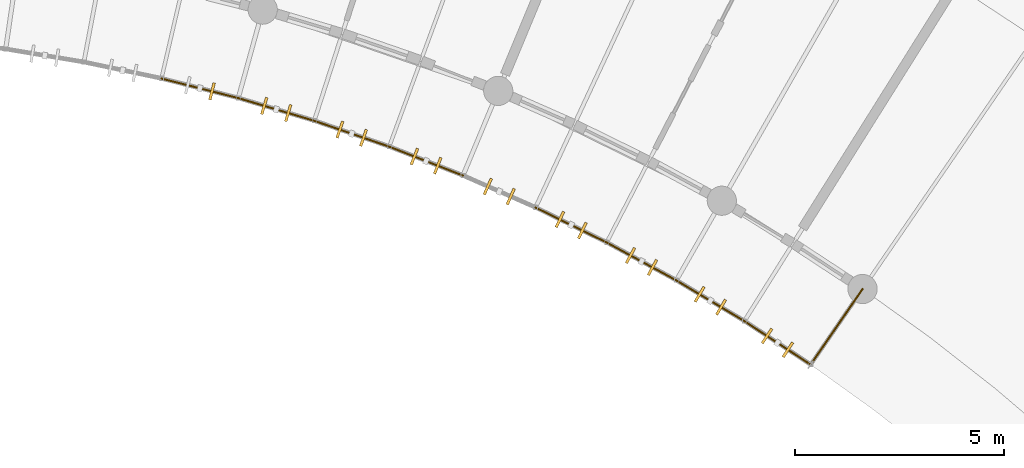
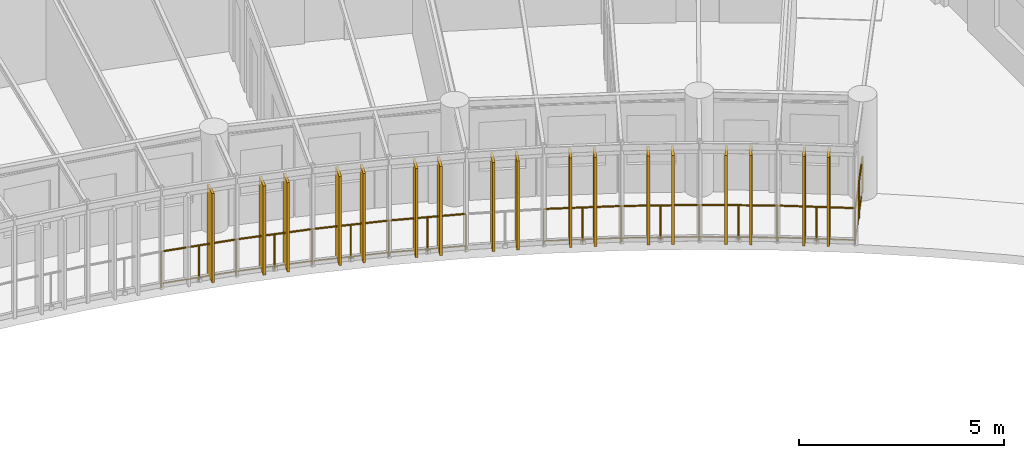
# One storey, part 135 of 137: 17 shading devices, 9 railings.
"""IFC4 building model written with IfcOpenShell, lengths in metres."""

import ifcopenshell
import ifcopenshell.guid

model = None  # the IFC model being written
_history = None  # IfcOwnerHistory: only IFC2X3 demands one
_inside = {}  # id of a spatial element -> (the spatial element, [elements in it])
_under = {}  # id of a project, library or spatial element -> (it, [spatial elements below it])
_declared = {}  # id of a project -> (the project, [libraries it declares])
_typed = {}  # id of a type object -> (the type object, [elements of that type])
_made_of = {}  # id of a material, layer set ... -> (it, [elements and type objects made of it])


def new_model(schema):
    """Start an empty IFC model of exactly this schema.

    Asked for "IFC4X3", IfcOpenShell would pick the latest addendum, in which some entities
    have other attributes; the version numbers below select the first issue.
    IFC2X3 requires an IfcOwnerHistory on every rooted entity: one is made here for all.
    """
    global model, _history
    if schema == "IFC4X3":
        model = ifcopenshell.file(schema_version=(4, 3, 0, 0))
    else:
        model = ifcopenshell.file(schema=schema)
    _inside.clear()
    _under.clear()
    _declared.clear()
    _typed.clear()
    _made_of.clear()
    _history = None
    if model.schema == "IFC2X3":
        org = make("IfcOrganization", Name="unknown")
        user = make(
            "IfcPersonAndOrganization",
            ThePerson=make("IfcPerson", FamilyName="unknown"),
            TheOrganization=org,
        )
        app = make(
            "IfcApplication",
            ApplicationDeveloper=org,
            Version="unknown",
            ApplicationFullName="unknown",
            ApplicationIdentifier="unknown",
        )
        _history = make(
            "IfcOwnerHistory",
            OwningUser=user,
            OwningApplication=app,
            ChangeAction="ADDED",
            CreationDate=0,
        )
    return model


def make(cls, **values):
    """One entity of the class cls with the attributes given. An attribute that is None is left unset."""
    return model.create_entity(
        cls, **{name: value for name, value in values.items() if value is not None}
    )


def rooted(cls, **values):
    """An entity with a GlobalId (a new one), such as an element, a storey or a relation."""
    return make(cls, GlobalId=ifcopenshell.guid.new(), OwnerHistory=_history, **values)


def si_unit(unit_type, name, prefix=None):
    """IfcSIUnit, for example si_unit("LENGTHUNIT", "METRE", prefix="MILLI")."""
    return make("IfcSIUnit", UnitType=unit_type, Prefix=prefix, Name=name)


def assignment(units):
    """IfcUnitAssignment: the units of a project."""
    return None if units is None else make("IfcUnitAssignment", Units=units)


def point(xyz):
    """IfcCartesianPoint."""
    return None if xyz is None else make("IfcCartesianPoint", Coordinates=xyz)


def direction(xyz):
    """IfcDirection."""
    return None if xyz is None else make("IfcDirection", DirectionRatios=xyz)


def frame(location, z_axis=None, x_axis=None):
    """IfcAxis2Placement3D, a coordinate frame: its origin and axes. An axis left out is left unset."""
    return make(
        "IfcAxis2Placement3D",
        Location=point(location),
        Axis=direction(z_axis),
        RefDirection=direction(x_axis),
    )


def frame_2d(location, x_axis=None):
    """IfcAxis2Placement2D, a coordinate frame in the plane: its origin and x axis."""
    return make(
        "IfcAxis2Placement2D", Location=point(location), RefDirection=direction(x_axis)
    )


def origin():
    """The frame at (0, 0, 0) with its axes left unset."""
    return frame((0.0, 0.0, 0.0))


def origin_2d():
    """The frame at (0, 0) in the plane with its x axis left unset."""
    return frame_2d((0.0, 0.0))


def place(relative_to, where):
    """IfcLocalPlacement: puts the frame where relative to a parent placement (None: the world)."""
    return make(
        "IfcLocalPlacement", PlacementRelTo=relative_to, RelativePlacement=where
    )


def context(
    kind, dimensions, precision=None, world=None, true_north=None, identifier=None
):
    """IfcGeometricRepresentationContext, for example the 3D "Model" context."""
    return make(
        "IfcGeometricRepresentationContext",
        ContextIdentifier=identifier,
        ContextType=kind,
        CoordinateSpaceDimension=dimensions,
        Precision=precision,
        WorldCoordinateSystem=world,
        TrueNorth=true_north,
    )


def subcontext(parent, identifier, kind, view, scale=None):
    """IfcGeometricRepresentationSubContext, for example "Body" below "Model"."""
    return make(
        "IfcGeometricRepresentationSubContext",
        ContextIdentifier=identifier,
        ContextType=kind,
        ParentContext=parent,
        TargetScale=scale,
        TargetView=view,
    )


def project(units=None, contexts=None):
    """IfcProject with its units and contexts."""
    return rooted(
        "IfcProject",
        Name="project",
        RepresentationContexts=contexts,
        UnitsInContext=assignment(units),
    )


def spatial(cls, under=None, at=None, **own):
    """A site, building, storey or space (cls), placed at a placement, below another one or the project."""
    s = rooted(cls, ObjectPlacement=at, **own)
    if under is not None:
        _under.setdefault(under.id(), (under, []))[1].append(s)
    return s


def profile(cls, at=None, kind="AREA", **sizes):
    """A parametric profile (cls). Its sizes go by their IFC names, for example OverallWidth=200.0."""
    return make(cls, ProfileType=kind, Position=at, **sizes)


def rectangle(**sizes):
    """IfcRectangleProfileDef."""
    return profile("IfcRectangleProfileDef", **sizes)


def circle(**sizes):
    """IfcCircleProfileDef."""
    return profile("IfcCircleProfileDef", **sizes)


def extrude(swept, where, along, depth):
    """IfcExtrudedAreaSolid: the profile swept, set in the frame where, extruded along a direction by depth."""
    return make(
        "IfcExtrudedAreaSolid",
        SweptArea=swept,
        Position=where,
        ExtrudedDirection=direction(along),
        Depth=depth,
    )


def shape(context_of_items, identifier, shape_type, items):
    """IfcShapeRepresentation: the items that make up one representation, for example the "Body"."""
    return make(
        "IfcShapeRepresentation",
        ContextOfItems=context_of_items,
        RepresentationIdentifier=identifier,
        RepresentationType=shape_type,
        Items=items,
    )


def material(Name=None, Category=None):
    """IfcMaterial."""
    return make("IfcMaterial", Name=Name, Category=Category)


def layer(
    of_material, thickness, ventilated=None, Name=None, Category=None, Priority=None
):
    """IfcMaterialLayer: one layer of a wall or slab, of a material (None: an air gap)."""
    return make(
        "IfcMaterialLayer",
        Material=of_material,
        LayerThickness=thickness,
        IsVentilated=ventilated,
        Name=Name,
        Category=Category,
        Priority=Priority,
    )


def layer_set(layers, Name=None):
    """IfcMaterialLayerSet."""
    return make("IfcMaterialLayerSet", MaterialLayers=layers, LayerSetName=Name)


def made_of(thing, what):
    """Note that an element or type object is made of a material, layer set ...; save() writes the relation."""
    if what is not None:
        _made_of.setdefault(what.id(), (what, []))[1].append(thing)
    return thing


def type_object(cls, material=None, **own):
    """A type object (cls), such as IfcWallType, which elements share."""
    return made_of(rooted(cls, **own), material)


def element(
    cls,
    number,
    at=None,
    inside=None,
    cuts=None,
    type_object=None,
    material=None,
    context=None,
    identifier="Body",
    shape_type=None,
    held_by="IfcProductDefinitionShape",
    body=None,
    shapes=None,
    **own,
):
    """One element of the class cls, such as IfcWall. Its Tag is "e" and its number.

    at: its placement. inside: the storey or other place that contains it. cuts: it is an
    opening in that element (IfcRelVoidsElement). A single representation is given by context,
    identifier, shape_type and body (its items); several are given by shapes. held_by: the class
    of the entity that holds the representations. save() writes the other relations.
    """
    e = rooted(cls, Tag="e%d" % number, ObjectPlacement=at, **own)
    if body is not None:
        shapes = [shape(context, identifier, shape_type, body)]
    if shapes is not None:
        e.Representation = make(held_by, Representations=shapes)
    if inside is not None:
        _inside.setdefault(inside.id(), (inside, []))[1].append(e)
    if cuts is not None:
        rooted(
            "IfcRelVoidsElement", RelatingBuildingElement=cuts, RelatedOpeningElement=e
        )
    if type_object is not None:
        _typed.setdefault(type_object.id(), (type_object, []))[1].append(e)
    return made_of(e, material)


def aggregate(whole, parts):
    """IfcRelAggregates: a whole, such as a stair, and the parts it consists of."""
    return rooted("IfcRelAggregates", RelatingObject=whole, RelatedObjects=parts)


def save(model, path):
    """Write the relations noted so far, then the file.

    IfcRelAggregates (storeys below a building ...), IfcRelContainedInSpatialStructure (elements
    in a storey), IfcRelDefinesByType, IfcRelAssociatesMaterial and IfcRelDeclares: one each for
    every whole, place, type object, material and project.
    """
    for whole, parts in _under.values():
        aggregate(whole, parts)
    for where, things in _inside.values():
        rooted(
            "IfcRelContainedInSpatialStructure",
            RelatedElements=things,
            RelatingStructure=where,
        )
    for kind, things in _typed.values():
        rooted("IfcRelDefinesByType", RelatedObjects=things, RelatingType=kind)
    for what, things in _made_of.values():
        rooted("IfcRelAssociatesMaterial", RelatedObjects=things, RelatingMaterial=what)
    for by, libraries in _declared.values():
        rooted("IfcRelDeclares", RelatingContext=by, RelatedDefinitions=libraries)
    model.write(path)


model = new_model("IFC4")

# Units and contexts
model_context = context("Model", 3, precision=1e-05, world=origin(), true_north=direction((0.0, 1.0)))
body_context = subcontext(model_context, "Body", "Model", "MODEL_VIEW")
ifc_project = project(units=[si_unit("LENGTHUNIT", "METRE"), si_unit("AREAUNIT", "SQUARE_METRE"), si_unit("VOLUMEUNIT", "CUBIC_METRE"), si_unit("PLANEANGLEUNIT", "RADIAN"), si_unit("MASSUNIT", "GRAM", prefix="KILO"), si_unit("POWERUNIT", "WATT"), si_unit("THERMODYNAMICTEMPERATUREUNIT", "KELVIN")], contexts=[model_context])

# Site, building, storey
site_placement = place(None, origin())
site = spatial("IfcSite", under=ifc_project, at=site_placement, CompositionType="ELEMENT")
building_placement = place(site_placement, origin())
building = spatial("IfcBuilding", under=site, at=building_placement, Name="Ruvembo Vaulted Housing Court", CompositionType="ELEMENT")
storey_placement = place(building_placement, frame((0.0, 0.0, 4.5)))
storey = spatial("IfcBuildingStorey", under=building, at=storey_placement, Name="L01", CompositionType="ELEMENT", Elevation=4.5)

# Railings
ifc_material_1 = material(Name="Galvanised Painted Steel S275", Category="steel")
ifc_layer = layer(ifc_material_1, 0.06005859375, Name="Galvanised Painted Steel S275")
ifc_layer_set = layer_set([ifc_layer], Name="Galvanised Painted Steel S275")
railing_type = type_object("IfcRailingType", Name="RL-GUARD-1100", PredefinedType="GUARDRAIL", material=ifc_layer_set)
railing_1_placement = place(storey_placement, frame((127.365966796875, 94.611572265625, 0.0)))
element("IfcRailing", 1, at=railing_1_placement, inside=storey, type_object=railing_type, Name="L01 Perimeter Guard RL-EXT-L01-0575", PredefinedType="GUARDRAIL", context=body_context, shape_type="SweptSolid", body=[
    extrude(circle(Radius=0.02392578125, at=origin_2d()), frame((0.0, 0.0, 1.076171875), z_axis=(0.969121730429, -0.246582788553, 0.0), x_axis=(0.246582788553, 0.969121730429, 0.0)), (0.0, 0.0, 1.0), 1.90087890625),
    extrude(circle(Radius=0.01806640625, at=origin_2d()), frame((0.0, 0.0, 0.1201171875), z_axis=(0.969121730429, -0.246582788553, 0.0), x_axis=(0.246582788553, 0.969121730429, 0.0)), (0.0, 0.0, 1.0), 1.90087890625),
    extrude(circle(Radius=0.02099609375, at=origin_2d()), origin(), (0.0, 0.0, 1.0), 1.052001953125),
    extrude(circle(Radius=0.02099609375, at=origin_2d()), frame((0.921142578125, -0.234375, 0.0)), (0.0, 0.0, 1.0), 1.052001953125),
    extrude(circle(Radius=0.02099609375, at=origin_2d()), frame((1.84228515625, -0.46875, 0.0)), (0.0, 0.0, 1.0), 1.052001953125),
])
railing_2_placement = place(storey_placement, frame((129.208251953125, 94.142822265625, 0.0)))
element("IfcRailing", 2, at=railing_2_placement, inside=storey, type_object=railing_type, Name="L01 Perimeter Guard RL-EXT-L01-0576", PredefinedType="GUARDRAIL", context=body_context, shape_type="SweptSolid", body=[
    extrude(circle(Radius=0.02392578125, at=origin_2d()), frame((0.0, 0.0, 1.076171875), z_axis=(0.958108609181, -0.286405120439, 0.0), x_axis=(0.286405120439, 0.958108609181, 0.0)), (0.0, 0.0, 1.0), 1.90087890625),
    extrude(circle(Radius=0.01806640625, at=origin_2d()), frame((0.0, 0.0, 0.1201171875), z_axis=(0.958108609181, -0.286405120439, 0.0), x_axis=(0.286405120439, 0.958108609181, 0.0)), (0.0, 0.0, 1.0), 1.90087890625),
    extrude(circle(Radius=0.02099609375, at=origin_2d()), origin(), (0.0, 0.0, 1.0), 1.052001953125),
    extrude(circle(Radius=0.02099609375, at=origin_2d()), frame((0.91064453125, -0.272216796875, 0.0)), (0.0, 0.0, 1.0), 1.052001953125),
    extrude(circle(Radius=0.02099609375, at=origin_2d()), frame((1.8212890625, -0.54443359375, 0.0)), (0.0, 0.0, 1.0), 1.052001953125),
])
railing_3_placement = place(storey_placement, frame((131.029541015625, 93.598388671875, 0.0)))
element("IfcRailing", 3, at=railing_3_placement, inside=storey, type_object=railing_type, Name="L01 Perimeter Guard RL-EXT-L01-0577", PredefinedType="GUARDRAIL", context=body_context, shape_type="SweptSolid", body=[
    extrude(circle(Radius=0.02392578125, at=origin_2d()), frame((0.0, 0.0, 1.076171875), z_axis=(0.945357969834, -0.326034214264, 0.0), x_axis=(0.326034214264, 0.945357969834, 0.0)), (0.0, 0.0, 1.0), 1.9013671875),
    extrude(circle(Radius=0.01806640625, at=origin_2d()), frame((0.0, 0.0, 0.1201171875), z_axis=(0.945357969834, -0.326034214264, 0.0), x_axis=(0.326034214264, 0.945357969834, 0.0)), (0.0, 0.0, 1.0), 1.9013671875),
    extrude(circle(Radius=0.02099609375, at=origin_2d()), origin(), (0.0, 0.0, 1.0), 1.052001953125),
    extrude(circle(Radius=0.02099609375, at=origin_2d()), frame((0.898681640625, -0.31005859375, 0.0)), (0.0, 0.0, 1.0), 1.052001953125),
    extrude(circle(Radius=0.02099609375, at=origin_2d()), frame((1.79736328125, -0.619873046875, 0.0)), (0.0, 0.0, 1.0), 1.052001953125),
])
railing_4_placement = place(storey_placement, frame((132.826904296875, 92.978515625, 0.0)))
element("IfcRailing", 4, at=railing_4_placement, inside=storey, type_object=railing_type, Name="L01 Perimeter Guard RL-EXT-L01-0578", PredefinedType="GUARDRAIL", context=body_context, shape_type="SweptSolid", body=[
    extrude(circle(Radius=0.02392578125, at=origin_2d()), frame((0.0, 0.0, 1.076171875), z_axis=(0.931005720133, -0.365004587752, 0.0), x_axis=(0.365004587752, 0.931005720133, 0.0)), (0.0, 0.0, 1.0), 1.90087890625),
    extrude(circle(Radius=0.01806640625, at=origin_2d()), frame((0.0, 0.0, 0.1201171875), z_axis=(0.931005720133, -0.365004587752, 0.0), x_axis=(0.365004587752, 0.931005720133, 0.0)), (0.0, 0.0, 1.0), 1.90087890625),
    extrude(circle(Radius=0.02099609375, at=origin_2d()), origin(), (0.0, 0.0, 1.0), 1.052001953125),
    extrude(circle(Radius=0.02099609375, at=origin_2d()), frame((0.884765625, -0.346923828125, 0.0)), (0.0, 0.0, 1.0), 1.052001953125),
    extrude(circle(Radius=0.02099609375, at=origin_2d()), frame((1.769775390625, -0.69384765625, 0.0)), (0.0, 0.0, 1.0), 1.052001953125),
])
railing_5_placement = place(storey_placement, frame((136.336181640625, 91.51806640625, 0.0)))
element("IfcRailing", 5, at=railing_5_placement, inside=storey, type_object=railing_type, Name="L01 Perimeter Guard RL-EXT-L01-0580", PredefinedType="GUARDRAIL", context=body_context, shape_type="SweptSolid", body=[
    extrude(circle(Radius=0.02392578125, at=origin_2d()), frame((0.0, 0.0, 1.076171875), z_axis=(0.897513310314, -0.44098736695, 0.0), x_axis=(0.44098736695, 0.897513310314, 0.0)), (0.0, 0.0, 1.0), 1.901123046875),
    extrude(circle(Radius=0.01806640625, at=origin_2d()), frame((0.0, 0.0, 0.1201171875), z_axis=(0.897513310314, -0.44098736695, 0.0), x_axis=(0.44098736695, 0.897513310314, 0.0)), (0.0, 0.0, 1.0), 1.901123046875),
    extrude(circle(Radius=0.02099609375, at=origin_2d()), origin(), (0.0, 0.0, 1.0), 1.052001953125),
    extrude(circle(Radius=0.02099609375, at=origin_2d()), frame((0.85302734375, -0.419189453125, 0.0)), (0.0, 0.0, 1.0), 1.052001953125),
    extrude(circle(Radius=0.02099609375, at=origin_2d()), frame((1.706298828125, -0.83837890625, 0.0)), (0.0, 0.0, 1.0), 1.052001953125),
])
railing_6_placement = place(storey_placement, frame((138.04248046875, 90.6796875, 0.0)))
element("IfcRailing", 6, at=railing_6_placement, inside=storey, type_object=railing_type, Name="L01 Perimeter Guard RL-EXT-L01-0581", PredefinedType="GUARDRAIL", context=body_context, shape_type="SweptSolid", body=[
    extrude(circle(Radius=0.02392578125, at=origin_2d()), frame((0.0, 0.0, 1.076171875), z_axis=(0.878513214386, -0.477718046706, 0.0), x_axis=(0.477718046706, 0.878513214386, 0.0)), (0.0, 0.0, 1.0), 1.901123046875),
    extrude(circle(Radius=0.01806640625, at=origin_2d()), frame((0.0, 0.0, 0.1201171875), z_axis=(0.878513214386, -0.477718046706, 0.0), x_axis=(0.477718046706, 0.878513214386, 0.0)), (0.0, 0.0, 1.0), 1.901123046875),
    extrude(circle(Radius=0.02099609375, at=origin_2d()), origin(), (0.0, 0.0, 1.0), 1.052001953125),
    extrude(circle(Radius=0.02099609375, at=origin_2d()), frame((0.8349609375, -0.4541015625, 0.0)), (0.0, 0.0, 1.0), 1.052001953125),
    extrude(circle(Radius=0.02099609375, at=origin_2d()), frame((1.670166015625, -0.908203125, 0.0)), (0.0, 0.0, 1.0), 1.052001953125),
])
railing_7_placement = place(storey_placement, frame((139.712646484375, 89.771484375, 0.0)))
element("IfcRailing", 7, at=railing_7_placement, inside=storey, type_object=railing_type, Name="L01 Perimeter Guard RL-EXT-L01-0582", PredefinedType="GUARDRAIL", context=body_context, shape_type="SweptSolid", body=[
    extrude(circle(Radius=0.02392578125, at=origin_2d()), frame((0.0, 0.0, 1.076171875), z_axis=(0.857889282303, -0.513834583607, 0.0), x_axis=(0.513834583607, 0.857889282303, 0.0)), (0.0, 0.0, 1.0), 1.901123046875),
    extrude(circle(Radius=0.01806640625, at=origin_2d()), frame((0.0, 0.0, 0.1201171875), z_axis=(0.857889282303, -0.513834583607, 0.0), x_axis=(0.513834583607, 0.857889282303, 0.0)), (0.0, 0.0, 1.0), 1.901123046875),
    extrude(circle(Radius=0.02099609375, at=origin_2d()), origin(), (0.0, 0.0, 1.0), 1.052001953125),
    extrude(circle(Radius=0.02099609375, at=origin_2d()), frame((0.8154296875, -0.48828125, 0.0)), (0.0, 0.0, 1.0), 1.052001953125),
    extrude(circle(Radius=0.02099609375, at=origin_2d()), frame((1.630859375, -0.976806640625, 0.0)), (0.0, 0.0, 1.0), 1.052001953125),
])
railing_8_placement = place(storey_placement, frame((141.343505859375, 88.794677734375, 0.0)))
element("IfcRailing", 8, at=railing_8_placement, inside=storey, type_object=railing_type, Name="L01 Perimeter Guard RL-EXT-L01-0583", PredefinedType="GUARDRAIL", context=body_context, shape_type="SweptSolid", body=[
    extrude(circle(Radius=0.02392578125, at=origin_2d()), frame((0.0, 0.0, 1.076171875), z_axis=(0.835902452778, -0.548878027834, 0.0), x_axis=(0.548878027834, 0.835902452778, 0.0)), (0.0, 0.0, 1.0), 1.901123046875),
    extrude(circle(Radius=0.01806640625, at=origin_2d()), frame((0.0, 0.0, 0.1201171875), z_axis=(0.835902452778, -0.548878027834, 0.0), x_axis=(0.548878027834, 0.835902452778, 0.0)), (0.0, 0.0, 1.0), 1.901123046875),
    extrude(circle(Radius=0.02099609375, at=origin_2d()), origin(), (0.0, 0.0, 1.0), 1.052001953125),
    extrude(circle(Radius=0.02099609375, at=origin_2d()), frame((0.79443359375, -0.521728515625, 0.0)), (0.0, 0.0, 1.0), 1.052001953125),
    extrude(circle(Radius=0.02099609375, at=origin_2d()), frame((1.589111328125, -1.04345703125, 0.0)), (0.0, 0.0, 1.0), 1.052001953125),
])
railing_9_placement = place(storey_placement, frame((142.9326171875, 87.751220703125, 0.0)))
element("IfcRailing", 9, at=railing_9_placement, inside=storey, type_object=railing_type, Name="L01 Perimeter Guard RL-EXT-L01-0584", PredefinedType="GUARDRAIL", context=body_context, shape_type="SweptSolid", body=[
    extrude(circle(Radius=0.02392578125, at=origin_2d()), frame((0.0, 0.0, 1.076171875), z_axis=(0.566222630619, 0.82425234763, 0.0), x_axis=(-0.82425234763, 0.566222630619, 0.0)), (0.0, 0.0, 1.0), 2.199951171875),
    extrude(circle(Radius=0.01806640625, at=origin_2d()), frame((0.0, 0.0, 0.1201171875), z_axis=(0.566222630619, 0.82425234763, 0.0), x_axis=(-0.82425234763, 0.566222630619, 0.0)), (0.0, 0.0, 1.0), 2.199951171875),
    extrude(circle(Radius=0.02099609375, at=origin_2d()), origin(), (0.0, 0.0, 1.0), 1.052001953125),
    extrude(circle(Radius=0.02099609375, at=origin_2d()), frame((0.622802734375, 0.90673828125, 0.0)), (0.0, 0.0, 1.0), 1.052001953125),
    extrude(circle(Radius=0.02099609375, at=origin_2d()), frame((1.24560546875, 1.813232421875, 0.0)), (0.0, 0.0, 1.0), 1.052001953125),
])

# Shading devices
ifc_material_2 = material(Name="Kiln-Fired Terracotta Extrusion", Category="masonry")
shading_device_type = type_object("IfcShadingDeviceType", Name="SHD-FIN-420", PredefinedType="USERDEFINED", material=ifc_material_2)
for number, where, z_axis, x_axis, name in (
    (10, (128.577880859375, 94.30322265625, 0.0498046875), (0.0, 0.0, 1.0), (-0.246491603437, -0.969144926951, 0.0), "Terracotta Brise-Soleil Fin #512"),
    (11, (129.83154296875, 93.95654296875, 0.0498046875), (0.0, 0.0, 1.0), (-0.2864911095, -0.958082900472, 0.0), "Terracotta Brise-Soleil Fin #513"),
    (12, (130.406494140625, 93.78466796875, 0.0498046875), (0.0, 0.0, 1.0), (-0.2864911095, -0.958082900472, 0.0), "Terracotta Brise-Soleil Fin #514"),
    (13, (131.64453125, 93.38623046875, 0.0498046875), (0.0, 0.0, 1.0), (-0.326030183107, -0.945359360087, 0.0), "Terracotta Brise-Soleil Fin #515"),
    (14, (132.2119140625, 93.190673828125, 0.0498046875), (0.0, 0.0, 1.0), (-0.326030183107, -0.945359360087, 0.0), "Terracotta Brise-Soleil Fin #516"),
    (15, (133.432373046875, 92.7412109375, 0.0498046875), (0.0, 0.0, 1.0), (-0.364958032896, -0.931023970811, 0.0), "Terracotta Brise-Soleil Fin #517"),
    (16, (133.9912109375, 92.522216796875, 0.0498046875), (0.0, 0.0, 1.0), (-0.364958032896, -0.931023970811, 0.0), "Terracotta Brise-Soleil Fin #518"),
    (17, (135.19189453125, 92.022216796875, 0.0498046875), (0.0, 0.0, 1.0), (-0.403305746645, -0.915065284405, 0.0), "Terracotta Brise-Soleil Fin #519"),
    (18, (135.740966796875, 91.780517578125, 0.0498046875), (0.0, 0.0, 1.0), (-0.403305746645, -0.915065284405, 0.0), "Terracotta Brise-Soleil Fin #520"),
    (19, (136.920166015625, 91.231201171875, 0.0498046875), (0.0, 0.0, 1.0), (-0.440910671447, -0.897550990086, 0.0), "Terracotta Brise-Soleil Fin #521"),
    (20, (137.458740234375, 90.966552734375, 0.0498046875), (0.0, 0.0, 1.0), (-0.440910671447, -0.897550990086, 0.0), "Terracotta Brise-Soleil Fin #522"),
    (21, (138.614013671875, 90.368896484375, 0.0498046875), (0.0, 0.0, 1.0), (-0.477787506376, -0.878475440038, 0.0), "Terracotta Brise-Soleil Fin #523"),
    (22, (139.14111328125, 90.082275390625, 0.0498046875), (0.0, 0.0, 1.0), (-0.477787506376, -0.878475440038, 0.0), "Terracotta Brise-Soleil Fin #524"),
    (23, (140.270751953125, 89.437255859375, 0.0498046875), (0.0, 0.0, 1.0), (-0.513825768915, -0.857894561819, 0.0), "Terracotta Brise-Soleil Fin #525"),
    (24, (140.785400390625, 89.12890625, 0.0498046875), (0.0, 0.0, 1.0), (-0.513825768915, -0.857894561819, 0.0), "Terracotta Brise-Soleil Fin #526"),
    (25, (141.88720703125, 88.4375, 0.0498046875), (0.0, 0.0, 1.0), (-0.548964466299, -0.835845688355, 0.0), "Terracotta Brise-Soleil Fin #527"),
    (26, (142.388916015625, 88.108154296875, 0.0498046875), (0.0, 0.0, 1.0), (-0.548964466299, -0.835845688355, 0.0), "Terracotta Brise-Soleil Fin #528"),
):
    element("IfcShadingDevice", number, at=place(storey_placement, frame(where, z_axis=z_axis, x_axis=x_axis)), inside=storey, type_object=shading_device_type, Name=name, ObjectType="FIN", PredefinedType="USERDEFINED", context=body_context, shape_type="SweptSolid", body=[
        extrude(rectangle(XDim=0.419921875, YDim=0.06494140625, at=origin_2d()), origin(), (0.0, 0.0, 1.0), 2.653076171875),
    ])

save(model, "model.ifc")
